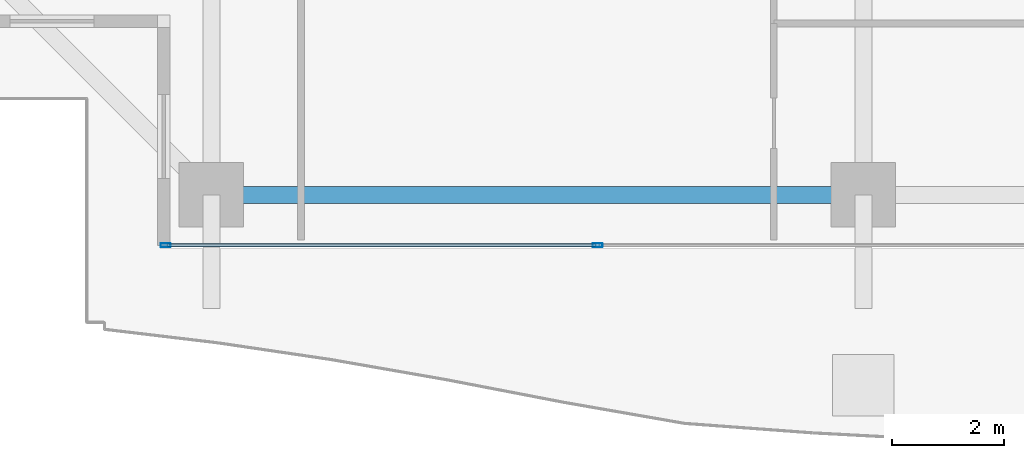
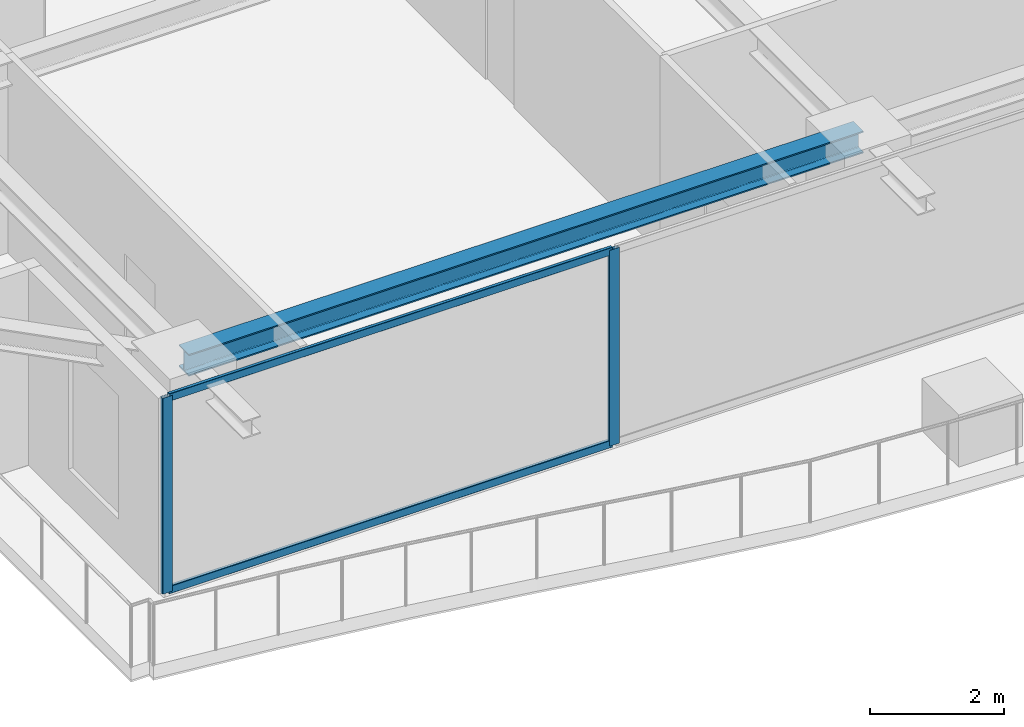
# One storey, part 2 of 37: 4 members, 1 beam, 1 element without a shape of its own.
"""IFC4 building model written with IfcOpenShell, lengths in metres."""

from ifc_helpers import new_model, si_unit, direction, frame, origin, origin_2d, place, context, subcontext, project, spatial, hollow_rectangle, i_section, extrude, source, transform, mapped, material, layer, layer_set, material_profile, profile_set, type_object, element, aggregate, save


model = new_model("IFC4")

# Units and contexts
model_context = context("Model", 3, precision=1e-05, world=origin(), true_north=direction((0.0, 1.0)))
body_context = subcontext(model_context, "Body", "Model", "MODEL_VIEW")
ifc_project = project(units=[si_unit("LENGTHUNIT", "METRE"), si_unit("AREAUNIT", "SQUARE_METRE"), si_unit("VOLUMEUNIT", "CUBIC_METRE"), si_unit("PLANEANGLEUNIT", "RADIAN"), si_unit("MASSUNIT", "GRAM", prefix="KILO")], contexts=[model_context])

# Site, building, storey
site_placement = place(None, origin())
site = spatial("IfcSite", under=ifc_project, at=site_placement, CompositionType="ELEMENT")
building_placement = place(site_placement, origin())
building = spatial("IfcBuilding", under=site, at=building_placement, Name="Serunith Strait Residences", CompositionType="ELEMENT")
storey_placement = place(building_placement, frame((0.0, 0.0, 260.5)))
storey = spatial("IfcBuildingStorey", under=building, at=storey_placement, Name="L65", CompositionType="ELEMENT", Elevation=260.5)

# Beam
ifc_material_1 = material(Name="Steel S355J2", Category="steel")
ifc_material_profile_1 = material_profile(ifc_material_1, i_section(OverallWidth=0.300048828125, OverallDepth=0.39990234375, WebThickness=0.013427734375, FlangeThickness=0.02392578125, FilletRadius=0.027099609375, at=origin_2d()), Name="HEB 400")
ifc_profile_set_1 = profile_set([ifc_material_profile_1], Name="Steel S355J2")
beam_type = type_object("IfcBeamType", Name="BM-HEB400", PredefinedType="BEAM", material=ifc_profile_set_1)
shared_shape_1 = source(origin(), body_context, "Body", "SweptSolid", [
    extrude(i_section(OverallWidth=0.300048828125, OverallDepth=0.39990234375, WebThickness=0.013427734375, FlangeThickness=0.02392578125, FilletRadius=0.027099609375, at=origin_2d()), origin(), (0.0, 0.0, 1.0), 11.64990234375),
])
beam_placement = place(storey_placement, frame((16.25, 2.10009765625, 3.386962890625), z_axis=(1.0, 0.0, 0.0), x_axis=(0.0, 1.0, 0.0)))
element("IfcBeam", 1, at=beam_placement, inside=storey, type_object=beam_type, Name="L65 Perimeter Ring Beam 01", PredefinedType="BEAM", context=body_context, shape_type="MappedRepresentation", body=[
    mapped(shared_shape_1, transform((0.0, 0.0, 0.0), scale=1.0)),
])

# Curtain wall, members
ifc_material_2 = material(Name="Pale-Champagne Anodised Aluminium", Category="aluminium")
ifc_layer = layer(ifc_material_2, 0.199951171875, Name="Pale-Champagne Anodised Aluminium")
ifc_layer_set = layer_set([ifc_layer], Name="Pale-Champagne Anodised Aluminium")
curtain_wall_type = type_object("IfcCurtainWallType", Name="CW-SYS4", PredefinedType="NOTDEFINED", material=ifc_layer_set)
curtain_wall_placement = place(storey_placement, origin())
curtain_wall = element("IfcCurtainWall", 2, at=curtain_wall_placement, inside=storey, type_object=curtain_wall_type, Name="L65 S Unitised Fritted Curtain Wall", PredefinedType="NOTDEFINED")
ifc_material_profile_2 = material_profile(ifc_material_2, hollow_rectangle(XDim=0.06494140625, YDim=0.179931640625, WallThickness=0.00341796875, InnerFilletRadius=0.00537109375, OuterFilletRadius=0.0087890625, at=origin_2d()), Name="ALU 180x65x3.5")
ifc_profile_set_2 = profile_set([ifc_material_profile_2], Name="Pale-Champagne Anodised Aluminium")
member_type_1 = type_object("IfcMemberType", Name="CW-SYS4-MULL", PredefinedType="MULLION", material=ifc_profile_set_2)
shared_shape_2 = source(origin(), body_context, "Body", "SweptSolid", [
    extrude(hollow_rectangle(XDim=0.06494140625, YDim=0.179931640625, WallThickness=0.00341796875, InnerFilletRadius=0.00537109375, OuterFilletRadius=0.0087890625, at=origin_2d()), origin(), (0.0, 0.0, 1.0), 3.574951171875),
])
member_1_placement = place(storey_placement, frame((15.4326171875, 1.199951171875, 0.0), z_axis=(0.0, 0.0, 1.0), x_axis=(0.0, 1.0, 0.0)))
member_1 = element("IfcMember", 3, at=member_1_placement, type_object=member_type_1, Name="CW-4 mullion 1", PredefinedType="MULLION", context=body_context, shape_type="MappedRepresentation", body=[
    mapped(shared_shape_2, transform((0.0, 0.0, 0.0), scale=1.0)),
])
member_2_placement = place(storey_placement, frame((23.14990234375, 1.199951171875, 0.0), z_axis=(0.0, 0.0, 1.0), x_axis=(0.0, 1.0, 0.0)))
member_2 = element("IfcMember", 4, at=member_2_placement, type_object=member_type_1, Name="CW-4 mullion 2", PredefinedType="MULLION", context=body_context, shape_type="MappedRepresentation", body=[
    mapped(shared_shape_2, transform((0.0, 0.0, 0.0), scale=1.0)),
])
ifc_material_profile_3 = material_profile(ifc_material_2, hollow_rectangle(XDim=0.06005859375, YDim=0.139892578125, WallThickness=0.00341796875, InnerFilletRadius=0.00537109375, OuterFilletRadius=0.0087890625, at=origin_2d()), Name="ALU 140x60x3.5")
ifc_profile_set_3 = profile_set([ifc_material_profile_3], Name="Pale-Champagne Anodised Aluminium")
member_type_2 = type_object("IfcMemberType", Name="CW-SYS4-TRAN", PredefinedType="USERDEFINED", material=ifc_profile_set_3)
shared_shape_3 = source(origin(), body_context, "Body", "SweptSolid", [
    extrude(hollow_rectangle(XDim=0.06005859375, YDim=0.139892578125, WallThickness=0.00341796875, InnerFilletRadius=0.00537109375, OuterFilletRadius=0.0087890625, at=origin_2d()), origin(), (0.0, 0.0, 1.0), 7.65234375),
])
member_3_placement = place(storey_placement, frame((15.465087890625, 1.199951171875, 0.030029296875), z_axis=(1.0, 0.0, 0.0), x_axis=(0.0, 1.0, 0.0)))
member_3 = element("IfcMember", 5, at=member_3_placement, type_object=member_type_2, Name="CW-4 transom 1.1", ObjectType="TRANSOM", PredefinedType="USERDEFINED", context=body_context, shape_type="MappedRepresentation", body=[
    mapped(shared_shape_3, transform((0.0, 0.0, 0.0), scale=1.0)),
])
member_4_placement = place(storey_placement, frame((15.465087890625, 1.199951171875, 3.544921875), z_axis=(1.0, 0.0, 0.0), x_axis=(0.0, 1.0, 0.0)))
member_4 = element("IfcMember", 6, at=member_4_placement, type_object=member_type_2, Name="CW-4 transom 1.2", ObjectType="TRANSOM", PredefinedType="USERDEFINED", context=body_context, shape_type="MappedRepresentation", body=[
    mapped(shared_shape_3, transform((0.0, 0.0, 0.0), scale=1.0)),
])
aggregate(curtain_wall, [member_1, member_2, member_3, member_4])

save(model, "model.ifc")
